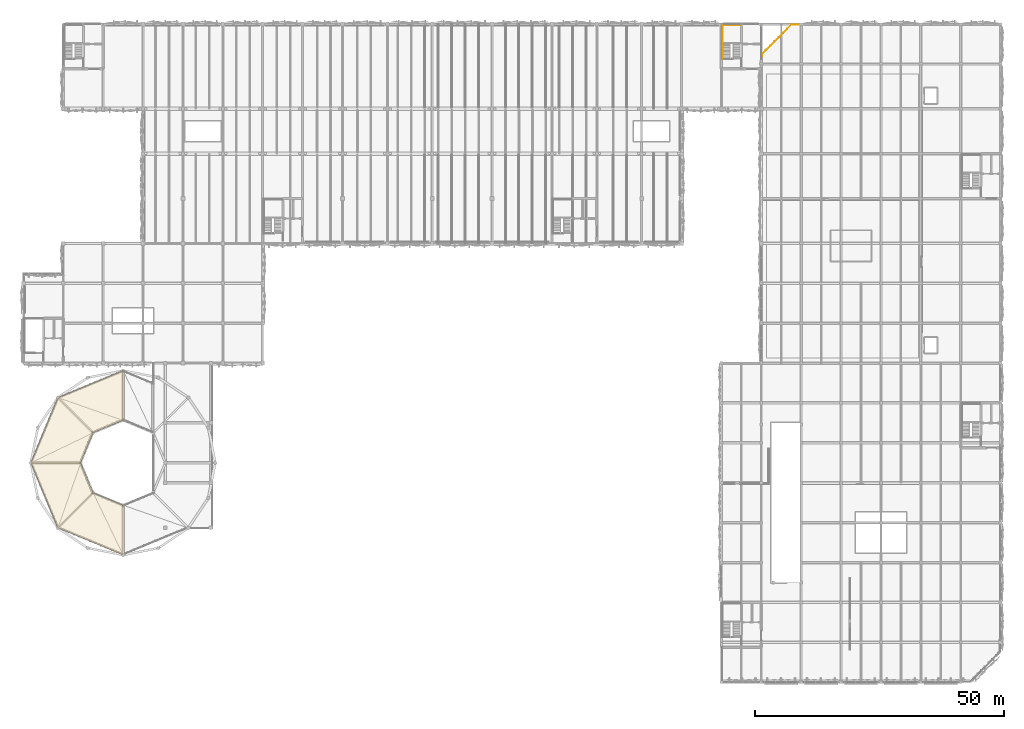
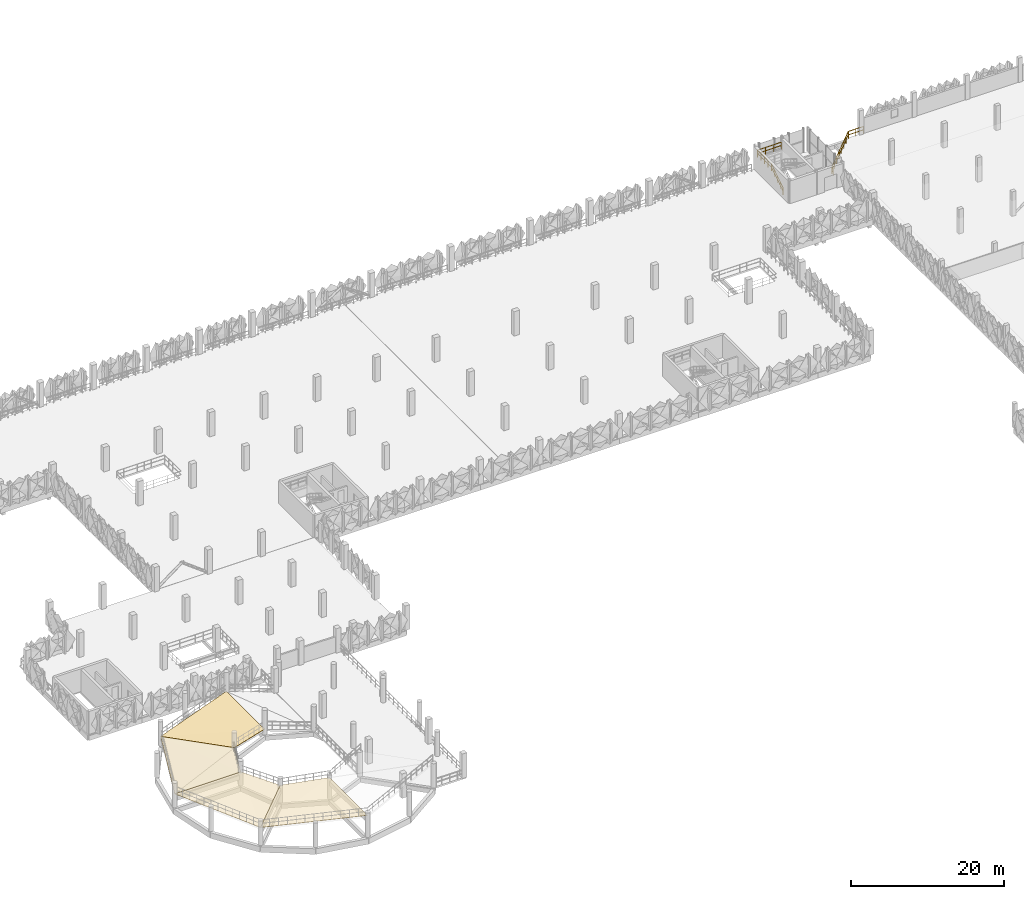
# One storey, part 83 of 83: 4 coverings, 2 railings.
"""IFC4 building model written with IfcOpenShell, lengths in metres."""

from ifc_helpers import new_model, si_unit, derived_unit, direction, frame, origin, origin_2d, place, context, subcontext, project, spatial, circle, extrude, polygons, material, layer, layer_set, type_object, element, save


model = new_model("IFC4")

# Units and contexts
model_context = context("Model", 3, precision=1e-05, world=origin(), true_north=direction((0.0, 1.0)))
body_context = subcontext(model_context, "Body", "Model", "MODEL_VIEW")
ifc_project = project(units=[si_unit("LENGTHUNIT", "METRE"), si_unit("AREAUNIT", "SQUARE_METRE"), si_unit("VOLUMEUNIT", "CUBIC_METRE"), si_unit("PLANEANGLEUNIT", "RADIAN"), si_unit("MASSUNIT", "GRAM", prefix="KILO"), si_unit("THERMODYNAMICTEMPERATUREUNIT", "KELVIN"), derived_unit("THERMALTRANSMITTANCEUNIT", [(si_unit("POWERUNIT", "WATT"), 1), (si_unit("AREAUNIT", "SQUARE_METRE"), -1), (si_unit("THERMODYNAMICTEMPERATUREUNIT", "KELVIN"), -1)])], contexts=[model_context])

# Site, building, storey
site_placement = place(None, origin())
site = spatial("IfcSite", under=ifc_project, at=site_placement, CompositionType="ELEMENT")
building_placement = place(site_placement, origin())
building = spatial("IfcBuilding", under=site, at=building_placement, Name="Haiyu Intermodal Mobility Hub", CompositionType="ELEMENT")
storey_placement = place(building_placement, frame((0.0, 0.0, 13.39990234375)))
storey = spatial("IfcBuildingStorey", under=building, at=storey_placement, Name="L03", CompositionType="ELEMENT", Elevation=13.39990234375)

# Coverings
ifc_material_1 = material(Name="Acrylic sports court surfacing")
ifc_layer = layer(ifc_material_1, 0.030029296875)
ifc_layer_set = layer_set([ifc_layer], Name="Acrylic sports court surfacing")
covering_type = type_object("IfcCoveringType", Name="COV-CV07", PredefinedType="FLOORING", material=ifc_layer_set)
covering_1_placement = place(storey_placement, origin())
element("IfcCovering", 1, at=covering_1_placement, inside=storey, type_object=covering_type, Name="COV-RMP-VEH-L03-02", PredefinedType="FLOORING", context=body_context, shape_type="Tessellation", body=[
    polygons([(34.0, 68.5, 0.650146484375), (34.0, 78.5, 0.650146484375), (20.9189453125, 73.0810546875, 1.300048828125), (27.989990234375, 66.010009765625, 1.300048828125), (34.0, 68.5, 0.695068359375), (34.0, 78.5, 0.695068359375), (20.9189453125, 73.0810546875, 1.34521484375), (27.989990234375, 66.010009765625, 1.34521484375)], [[[4, 3, 2, 1]], [[5, 6, 7, 8]], [[1, 2, 6, 5]], [[2, 3, 7, 6]], [[3, 4, 8, 7]], [[4, 1, 5, 8]]], closed=True),
])
covering_2_placement = place(storey_placement, origin())
element("IfcCovering", 2, at=covering_2_placement, inside=storey, type_object=covering_type, Name="COV-RMP-VEH-L03-03", PredefinedType="FLOORING", context=body_context, shape_type="Tessellation", body=[
    polygons([(27.989990234375, 66.010009765625, 1.300048828125), (20.9189453125, 73.0810546875, 1.300048828125), (15.5, 60.0, 1.9501953125), (25.5, 60.0, 1.9501953125), (27.989990234375, 66.010009765625, 1.34521484375), (20.9189453125, 73.0810546875, 1.34521484375), (15.5, 60.0, 1.9951171875), (25.5, 60.0, 1.9951171875)], [[[4, 3, 2, 1]], [[5, 6, 7, 8]], [[1, 2, 6, 5]], [[2, 3, 7, 6]], [[3, 4, 8, 7]], [[4, 1, 5, 8]]], closed=True),
])
covering_3_placement = place(storey_placement, origin())
element("IfcCovering", 3, at=covering_3_placement, inside=storey, type_object=covering_type, Name="COV-RMP-VEH-L03-04", PredefinedType="FLOORING", context=body_context, shape_type="Tessellation", body=[
    polygons([(25.5, 60.0, 1.9501953125), (15.5, 60.0, 1.9501953125), (20.9189453125, 46.9189453125, 2.60009765625), (27.989990234375, 53.989990234375, 2.60009765625), (25.5, 60.0, 1.9951171875), (15.5, 60.0, 1.9951171875), (20.9189453125, 46.9189453125, 2.64501953125), (27.989990234375, 53.989990234375, 2.64501953125)], [[[4, 3, 2, 1]], [[5, 6, 7, 8]], [[1, 2, 6, 5]], [[2, 3, 7, 6]], [[3, 4, 8, 7]], [[4, 1, 5, 8]]], closed=True),
])
covering_4_placement = place(storey_placement, origin())
element("IfcCovering", 4, at=covering_4_placement, inside=storey, type_object=covering_type, Name="COV-RMP-VEH-L03-05", PredefinedType="FLOORING", context=body_context, shape_type="Tessellation", body=[
    polygons([(27.989990234375, 53.989990234375, 2.60009765625), (20.9189453125, 46.9189453125, 2.60009765625), (34.0, 41.5, 3.25), (34.0, 51.5, 3.25), (27.989990234375, 53.989990234375, 2.64501953125), (20.9189453125, 46.9189453125, 2.64501953125), (34.0, 41.5, 3.295166015625), (34.0, 51.5, 3.295166015625)], [[[4, 3, 2, 1]], [[5, 6, 7, 8]], [[1, 2, 6, 5]], [[2, 3, 7, 6]], [[3, 4, 8, 7]], [[4, 1, 5, 8]]], closed=True),
])

# Railings
ifc_material_2 = material(Name="Steel Q355C", Category="steel")
railing_type = type_object("IfcRailingType", Name="RAL-GR03", PredefinedType="GUARDRAIL", material=ifc_material_2)
railing_1_placement = place(storey_placement, frame((162.139892578125, 141.60009765625, 0.0)))
element("IfcRailing", 5, at=railing_1_placement, inside=storey, type_object=railing_type, Name="RAL-V6CH-L03", PredefinedType="GUARDRAIL", context=body_context, shape_type="SweptSolid", body=[
    extrude(circle(Radius=0.02392578125, at=origin_2d()), frame((0.0, 0.030029296875, 1.1259765625), z_axis=(0.0, 1.0, 0.0), x_axis=(-1.0, 0.0, 0.0)), (0.0, 0.0, 1.0), 0.289794921875),
    extrude(circle(Radius=0.02392578125, at=origin_2d()), frame((0.0, 0.037353515625, 0.574951171875), z_axis=(0.0, 1.0, 0.0), x_axis=(-1.0, 0.0, 0.0)), (0.0, 0.0, 1.0), 0.275146484375),
    extrude(circle(Radius=0.02392578125, at=origin_2d()), frame((0.021240234375, 0.37109375, 1.1259765625), z_axis=(0.705924782292, 0.708286807547, 0.0), x_axis=(-0.708286807547, 0.705924782292, 0.0)), (0.0, 0.0, 1.0), 8.312255859375),
    extrude(circle(Radius=0.02392578125, at=origin_2d()), frame((0.0263671875, 0.376220703125, 0.574951171875), z_axis=(0.705924782292, 0.708286807547, 0.0), x_axis=(-0.708286807547, 0.705924782292, 0.0)), (0.0, 0.0, 1.0), 1.121337890625),
    extrude(circle(Radius=0.02392578125, at=origin_2d()), frame((0.87060546875, 1.223388671875, 0.574951171875), z_axis=(0.705924782292, 0.708286807547, 0.0), x_axis=(-0.708286807547, 0.705924782292, 0.0)), (0.0, 0.0, 1.0), 1.121337890625),
    extrude(circle(Radius=0.02392578125, at=origin_2d()), frame((1.71484375, 2.070556640625, 0.574951171875), z_axis=(0.705924782292, 0.708286807547, 0.0), x_axis=(-0.708286807547, 0.705924782292, 0.0)), (0.0, 0.0, 1.0), 1.121337890625),
    extrude(circle(Radius=0.02392578125, at=origin_2d()), frame((2.559326171875, 2.917724609375, 0.574951171875), z_axis=(0.705924782292, 0.708286807547, 0.0), x_axis=(-0.708286807547, 0.705924782292, 0.0)), (0.0, 0.0, 1.0), 1.121337890625),
    extrude(circle(Radius=0.02392578125, at=origin_2d()), frame((3.403564453125, 3.764892578125, 0.574951171875), z_axis=(0.705924782292, 0.708286807547, 0.0), x_axis=(-0.708286807547, 0.705924782292, 0.0)), (0.0, 0.0, 1.0), 1.121337890625),
    extrude(circle(Radius=0.02392578125, at=origin_2d()), frame((4.247802734375, 4.61181640625, 0.574951171875), z_axis=(0.705924782292, 0.708286807547, 0.0), x_axis=(-0.708286807547, 0.705924782292, 0.0)), (0.0, 0.0, 1.0), 1.121337890625),
    extrude(circle(Radius=0.02392578125, at=origin_2d()), frame((5.09228515625, 5.458984375, 0.574951171875), z_axis=(0.705924782292, 0.708286807547, 0.0), x_axis=(-0.708286807547, 0.705924782292, 0.0)), (0.0, 0.0, 1.0), 1.121337890625),
    extrude(circle(Radius=0.02392578125, at=origin_2d()), frame((5.940185546875, 6.27978515625, 1.1259765625), z_axis=(1.0, 0.0, 0.0), x_axis=(0.0, 1.0, 0.0)), (0.0, 0.0, 1.0), 2.18994140625),
    extrude(circle(Radius=0.02392578125, at=origin_2d()), frame((5.947509765625, 6.27978515625, 0.574951171875), z_axis=(1.0, 0.0, 0.0), x_axis=(0.0, 1.0, 0.0)), (0.0, 0.0, 1.0), 1.05029296875),
    extrude(circle(Radius=0.02392578125, at=origin_2d()), frame((7.072509765625, 6.27978515625, 0.574951171875), z_axis=(1.0, 0.0, 0.0), x_axis=(0.0, 1.0, 0.0)), (0.0, 0.0, 1.0), 1.05029296875),
    extrude(circle(Radius=0.02099609375, at=origin_2d()), origin(), (0.0, 0.0, 1.0), 1.09375),
    extrude(circle(Radius=0.02099609375, at=origin_2d()), frame((0.0, 0.349853515625, 0.0)), (0.0, 0.0, 1.0), 1.09375),
    extrude(circle(Radius=0.02099609375, at=origin_2d()), frame((0.84423828125, 1.197021484375, 0.0)), (0.0, 0.0, 1.0), 1.09375),
    extrude(circle(Radius=0.02099609375, at=origin_2d()), frame((1.688720703125, 2.044189453125, 0.0)), (0.0, 0.0, 1.0), 1.09375),
    extrude(circle(Radius=0.02099609375, at=origin_2d()), frame((2.532958984375, 2.891357421875, 0.0)), (0.0, 0.0, 1.0), 1.09375),
    extrude(circle(Radius=0.02099609375, at=origin_2d()), frame((3.377197265625, 3.73828125, 0.0)), (0.0, 0.0, 1.0), 1.09375),
    extrude(circle(Radius=0.02099609375, at=origin_2d()), frame((4.221435546875, 4.58544921875, 0.0)), (0.0, 0.0, 1.0), 1.09375),
    extrude(circle(Radius=0.02099609375, at=origin_2d()), frame((5.06591796875, 5.4326171875, 0.0)), (0.0, 0.0, 1.0), 1.09375),
    extrude(circle(Radius=0.02099609375, at=origin_2d()), frame((5.91015625, 6.27978515625, 0.0)), (0.0, 0.0, 1.0), 1.09375),
    extrude(circle(Radius=0.02099609375, at=origin_2d()), frame((7.03515625, 6.27978515625, 0.0)), (0.0, 0.0, 1.0), 1.09375),
    extrude(circle(Radius=0.02099609375, at=origin_2d()), frame((8.16015625, 6.27978515625, 0.0)), (0.0, 0.0, 1.0), 1.09375),
])
railing_2_placement = place(storey_placement, frame((154.25, 141.050048828125, 0.0)))
element("IfcRailing", 6, at=railing_2_placement, inside=storey, type_object=railing_type, Name="Stair Outer Guard STR-C4-L03", PredefinedType="GUARDRAIL", context=body_context, shape_type="SweptSolid", body=[
    extrude(circle(Radius=0.02392578125, at=origin_2d()), frame((0.0, 0.025390625, 1.112060546875), z_axis=(0.0, 0.844864482441, 0.534980379369), x_axis=(-1.0, 0.0, 0.0)), (0.0, 0.0, 1.0), 3.58544921875),
    extrude(circle(Radius=0.02392578125, at=origin_2d()), frame((0.0, 0.031494140625, 0.580078125), z_axis=(0.0, 0.844864482441, 0.534980379369), x_axis=(-1.0, 0.0, 0.0)), (0.0, 0.0, 1.0), 0.836669921875),
    extrude(circle(Radius=0.02392578125, at=origin_2d()), frame((0.0, 0.801513671875, 1.067626953125), z_axis=(0.0, 0.844864482441, 0.534980379369), x_axis=(-1.0, 0.0, 0.0)), (0.0, 0.0, 1.0), 0.836669921875),
    extrude(circle(Radius=0.02392578125, at=origin_2d()), frame((0.0, 1.571533203125, 1.55517578125), z_axis=(0.0, 0.844864482441, 0.534980379369), x_axis=(-1.0, 0.0, 0.0)), (0.0, 0.0, 1.0), 0.836669921875),
    extrude(circle(Radius=0.02392578125, at=origin_2d()), frame((0.0, 2.34130859375, 2.042724609375), z_axis=(0.0, 0.844864482441, 0.534980379369), x_axis=(-1.0, 0.0, 0.0)), (0.0, 0.0, 1.0), 0.836669921875),
    extrude(circle(Radius=0.02392578125, at=origin_2d()), frame((0.0, 3.10986328125, 3.04638671875), z_axis=(0.0, 1.0, 0.0), x_axis=(-1.0, 0.0, 0.0)), (0.0, 0.0, 1.0), 3.570068359375),
    extrude(circle(Radius=0.02392578125, at=origin_2d()), frame((0.0, 3.1171875, 2.51025390625), z_axis=(0.0, 1.0, 0.0), x_axis=(-1.0, 0.0, 0.0)), (0.0, 0.0, 1.0), 0.8330078125),
    extrude(circle(Radius=0.02392578125, at=origin_2d()), frame((0.0, 4.024658203125, 2.51025390625), z_axis=(0.0, 1.0, 0.0), x_axis=(-1.0, 0.0, 0.0)), (0.0, 0.0, 1.0), 0.8330078125),
    extrude(circle(Radius=0.02392578125, at=origin_2d()), frame((0.0, 4.93212890625, 2.51025390625), z_axis=(0.0, 1.0, 0.0), x_axis=(-1.0, 0.0, 0.0)), (0.0, 0.0, 1.0), 0.8330078125),
    extrude(circle(Radius=0.02392578125, at=origin_2d()), frame((0.0, 5.83984375, 2.51025390625), z_axis=(0.0, 1.0, 0.0), x_axis=(-1.0, 0.0, 0.0)), (0.0, 0.0, 1.0), 0.8330078125),
    extrude(circle(Radius=0.02392578125, at=origin_2d()), frame((0.030029296875, 6.7099609375, 3.04638671875), z_axis=(1.0, 0.0, 0.0), x_axis=(0.0, 1.0, 0.0)), (0.0, 0.0, 1.0), 3.52001953125),
    extrude(circle(Radius=0.02392578125, at=origin_2d()), frame((0.037353515625, 6.7099609375, 2.51025390625), z_axis=(1.0, 0.0, 0.0), x_axis=(0.0, 1.0, 0.0)), (0.0, 0.0, 1.0), 1.11865234375),
    extrude(circle(Radius=0.02392578125, at=origin_2d()), frame((1.230712890625, 6.7099609375, 2.51025390625), z_axis=(1.0, 0.0, 0.0), x_axis=(0.0, 1.0, 0.0)), (0.0, 0.0, 1.0), 1.11865234375),
    extrude(circle(Radius=0.02392578125, at=origin_2d()), frame((2.424072265625, 6.7099609375, 2.51025390625), z_axis=(1.0, 0.0, 0.0), x_axis=(0.0, 1.0, 0.0)), (0.0, 0.0, 1.0), 1.11865234375),
    extrude(circle(Radius=0.02099609375, at=origin_2d()), origin(), (0.0, 0.0, 1.0), 1.06396484375),
    extrude(circle(Radius=0.02099609375, at=origin_2d()), frame((0.0, 0.77001953125, 0.487548828125)), (0.0, 0.0, 1.0), 1.06396484375),
    extrude(circle(Radius=0.02099609375, at=origin_2d()), frame((0.0, 1.5400390625, 0.97509765625)), (0.0, 0.0, 1.0), 1.06396484375),
    extrude(circle(Radius=0.02099609375, at=origin_2d()), frame((0.0, 2.309814453125, 1.462646484375)), (0.0, 0.0, 1.0), 1.06396484375),
    extrude(circle(Radius=0.02099609375, at=origin_2d()), frame((0.0, 3.079833984375, 1.9501953125)), (0.0, 0.0, 1.0), 1.06396484375),
    extrude(circle(Radius=0.02099609375, at=origin_2d()), frame((0.0, 3.9873046875, 1.9501953125)), (0.0, 0.0, 1.0), 1.06396484375),
    extrude(circle(Radius=0.02099609375, at=origin_2d()), frame((0.0, 4.89501953125, 1.9501953125)), (0.0, 0.0, 1.0), 1.06396484375),
    extrude(circle(Radius=0.02099609375, at=origin_2d()), frame((0.0, 5.802490234375, 1.9501953125)), (0.0, 0.0, 1.0), 1.06396484375),
    extrude(circle(Radius=0.02099609375, at=origin_2d()), frame((0.0, 6.7099609375, 1.9501953125)), (0.0, 0.0, 1.0), 1.06396484375),
    extrude(circle(Radius=0.02099609375, at=origin_2d()), frame((1.193359375, 6.7099609375, 1.9501953125)), (0.0, 0.0, 1.0), 1.06396484375),
    extrude(circle(Radius=0.02099609375, at=origin_2d()), frame((2.38671875, 6.7099609375, 1.9501953125)), (0.0, 0.0, 1.0), 1.06396484375),
    extrude(circle(Radius=0.02099609375, at=origin_2d()), frame((3.580078125, 6.7099609375, 1.9501953125)), (0.0, 0.0, 1.0), 1.06396484375),
])

save(model, "model.ifc")
